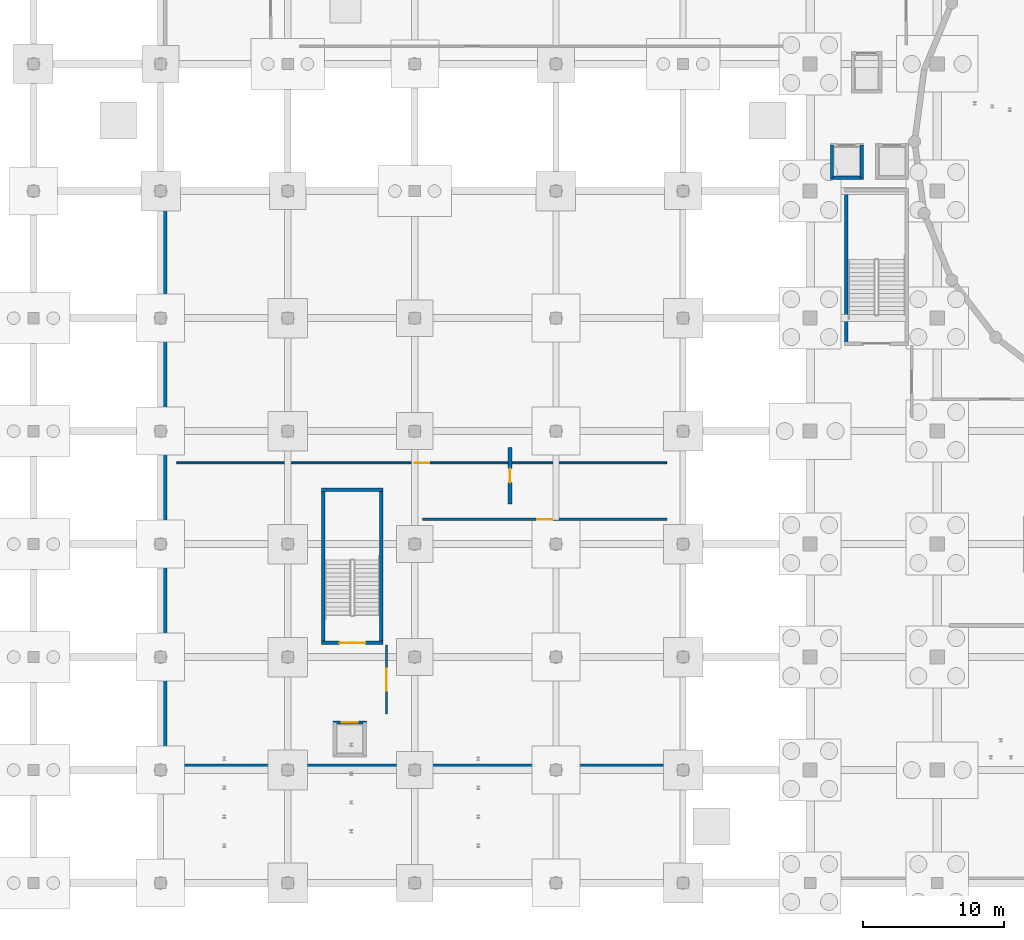
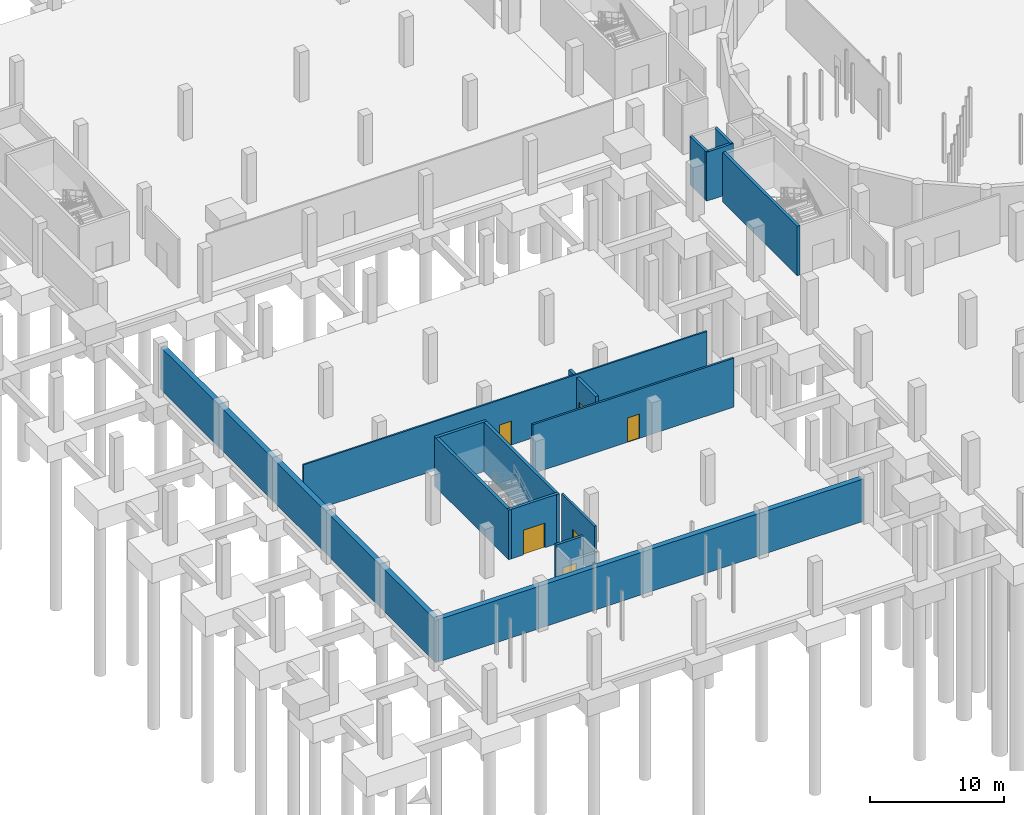
# One storey, part 27 of 40: 15 walls, 6 doors, 6 openings.
"""IFC4 building model written with IfcOpenShell, lengths in metres."""

import ifcopenshell
import ifcopenshell.guid

model = None  # the IFC model being written
_history = None  # IfcOwnerHistory: only IFC2X3 demands one
_inside = {}  # id of a spatial element -> (the spatial element, [elements in it])
_under = {}  # id of a project, library or spatial element -> (it, [spatial elements below it])
_declared = {}  # id of a project -> (the project, [libraries it declares])
_typed = {}  # id of a type object -> (the type object, [elements of that type])
_made_of = {}  # id of a material, layer set ... -> (it, [elements and type objects made of it])


def new_model(schema):
    """Start an empty IFC model of exactly this schema.

    Asked for "IFC4X3", IfcOpenShell would pick the latest addendum, in which some entities
    have other attributes; the version numbers below select the first issue.
    IFC2X3 requires an IfcOwnerHistory on every rooted entity: one is made here for all.
    """
    global model, _history
    if schema == "IFC4X3":
        model = ifcopenshell.file(schema_version=(4, 3, 0, 0))
    else:
        model = ifcopenshell.file(schema=schema)
    _inside.clear()
    _under.clear()
    _declared.clear()
    _typed.clear()
    _made_of.clear()
    _history = None
    if model.schema == "IFC2X3":
        org = make("IfcOrganization", Name="unknown")
        user = make(
            "IfcPersonAndOrganization",
            ThePerson=make("IfcPerson", FamilyName="unknown"),
            TheOrganization=org,
        )
        app = make(
            "IfcApplication",
            ApplicationDeveloper=org,
            Version="unknown",
            ApplicationFullName="unknown",
            ApplicationIdentifier="unknown",
        )
        _history = make(
            "IfcOwnerHistory",
            OwningUser=user,
            OwningApplication=app,
            ChangeAction="ADDED",
            CreationDate=0,
        )
    return model


def make(cls, **values):
    """One entity of the class cls with the attributes given. An attribute that is None is left unset."""
    return model.create_entity(
        cls, **{name: value for name, value in values.items() if value is not None}
    )


def rooted(cls, **values):
    """An entity with a GlobalId (a new one), such as an element, a storey or a relation."""
    return make(cls, GlobalId=ifcopenshell.guid.new(), OwnerHistory=_history, **values)


def si_unit(unit_type, name, prefix=None):
    """IfcSIUnit, for example si_unit("LENGTHUNIT", "METRE", prefix="MILLI")."""
    return make("IfcSIUnit", UnitType=unit_type, Prefix=prefix, Name=name)


def assignment(units):
    """IfcUnitAssignment: the units of a project."""
    return None if units is None else make("IfcUnitAssignment", Units=units)


def point(xyz):
    """IfcCartesianPoint."""
    return None if xyz is None else make("IfcCartesianPoint", Coordinates=xyz)


def direction(xyz):
    """IfcDirection."""
    return None if xyz is None else make("IfcDirection", DirectionRatios=xyz)


def frame(location, z_axis=None, x_axis=None):
    """IfcAxis2Placement3D, a coordinate frame: its origin and axes. An axis left out is left unset."""
    return make(
        "IfcAxis2Placement3D",
        Location=point(location),
        Axis=direction(z_axis),
        RefDirection=direction(x_axis),
    )


def frame_2d(location, x_axis=None):
    """IfcAxis2Placement2D, a coordinate frame in the plane: its origin and x axis."""
    return make(
        "IfcAxis2Placement2D", Location=point(location), RefDirection=direction(x_axis)
    )


def origin():
    """The frame at (0, 0, 0) with its axes left unset."""
    return frame((0.0, 0.0, 0.0))


def place(relative_to, where):
    """IfcLocalPlacement: puts the frame where relative to a parent placement (None: the world)."""
    return make(
        "IfcLocalPlacement", PlacementRelTo=relative_to, RelativePlacement=where
    )


def context(
    kind, dimensions, precision=None, world=None, true_north=None, identifier=None
):
    """IfcGeometricRepresentationContext, for example the 3D "Model" context."""
    return make(
        "IfcGeometricRepresentationContext",
        ContextIdentifier=identifier,
        ContextType=kind,
        CoordinateSpaceDimension=dimensions,
        Precision=precision,
        WorldCoordinateSystem=world,
        TrueNorth=true_north,
    )


def subcontext(parent, identifier, kind, view, scale=None):
    """IfcGeometricRepresentationSubContext, for example "Body" below "Model"."""
    return make(
        "IfcGeometricRepresentationSubContext",
        ContextIdentifier=identifier,
        ContextType=kind,
        ParentContext=parent,
        TargetScale=scale,
        TargetView=view,
    )


def project(units=None, contexts=None):
    """IfcProject with its units and contexts."""
    return rooted(
        "IfcProject",
        Name="project",
        RepresentationContexts=contexts,
        UnitsInContext=assignment(units),
    )


def spatial(cls, under=None, at=None, **own):
    """A site, building, storey or space (cls), placed at a placement, below another one or the project."""
    s = rooted(cls, ObjectPlacement=at, **own)
    if under is not None:
        _under.setdefault(under.id(), (under, []))[1].append(s)
    return s


def profile(cls, at=None, kind="AREA", **sizes):
    """A parametric profile (cls). Its sizes go by their IFC names, for example OverallWidth=200.0."""
    return make(cls, ProfileType=kind, Position=at, **sizes)


def rectangle(**sizes):
    """IfcRectangleProfileDef."""
    return profile("IfcRectangleProfileDef", **sizes)


def extrude(swept, where, along, depth):
    """IfcExtrudedAreaSolid: the profile swept, set in the frame where, extruded along a direction by depth."""
    return make(
        "IfcExtrudedAreaSolid",
        SweptArea=swept,
        Position=where,
        ExtrudedDirection=direction(along),
        Depth=depth,
    )


def shape(context_of_items, identifier, shape_type, items):
    """IfcShapeRepresentation: the items that make up one representation, for example the "Body"."""
    return make(
        "IfcShapeRepresentation",
        ContextOfItems=context_of_items,
        RepresentationIdentifier=identifier,
        RepresentationType=shape_type,
        Items=items,
    )


def material(Name=None, Category=None):
    """IfcMaterial."""
    return make("IfcMaterial", Name=Name, Category=Category)


def layer(
    of_material, thickness, ventilated=None, Name=None, Category=None, Priority=None
):
    """IfcMaterialLayer: one layer of a wall or slab, of a material (None: an air gap)."""
    return make(
        "IfcMaterialLayer",
        Material=of_material,
        LayerThickness=thickness,
        IsVentilated=ventilated,
        Name=Name,
        Category=Category,
        Priority=Priority,
    )


def layer_set(layers, Name=None):
    """IfcMaterialLayerSet."""
    return make("IfcMaterialLayerSet", MaterialLayers=layers, LayerSetName=Name)


def made_of(thing, what):
    """Note that an element or type object is made of a material, layer set ...; save() writes the relation."""
    if what is not None:
        _made_of.setdefault(what.id(), (what, []))[1].append(thing)
    return thing


def type_object(cls, material=None, **own):
    """A type object (cls), such as IfcWallType, which elements share."""
    return made_of(rooted(cls, **own), material)


def element(
    cls,
    number,
    at=None,
    inside=None,
    cuts=None,
    type_object=None,
    material=None,
    context=None,
    identifier="Body",
    shape_type=None,
    held_by="IfcProductDefinitionShape",
    body=None,
    shapes=None,
    **own,
):
    """One element of the class cls, such as IfcWall. Its Tag is "e" and its number.

    at: its placement. inside: the storey or other place that contains it. cuts: it is an
    opening in that element (IfcRelVoidsElement). A single representation is given by context,
    identifier, shape_type and body (its items); several are given by shapes. held_by: the class
    of the entity that holds the representations. save() writes the other relations.
    """
    e = rooted(cls, Tag="e%d" % number, ObjectPlacement=at, **own)
    if body is not None:
        shapes = [shape(context, identifier, shape_type, body)]
    if shapes is not None:
        e.Representation = make(held_by, Representations=shapes)
    if inside is not None:
        _inside.setdefault(inside.id(), (inside, []))[1].append(e)
    if cuts is not None:
        rooted(
            "IfcRelVoidsElement", RelatingBuildingElement=cuts, RelatedOpeningElement=e
        )
    if type_object is not None:
        _typed.setdefault(type_object.id(), (type_object, []))[1].append(e)
    return made_of(e, material)


def fill(opening, filler):
    """IfcRelFillsElement: the door or window that sits in an opening."""
    return rooted(
        "IfcRelFillsElement",
        RelatingOpeningElement=opening,
        RelatedBuildingElement=filler,
    )


def aggregate(whole, parts):
    """IfcRelAggregates: a whole, such as a stair, and the parts it consists of."""
    return rooted("IfcRelAggregates", RelatingObject=whole, RelatedObjects=parts)


def save(model, path):
    """Write the relations noted so far, then the file.

    IfcRelAggregates (storeys below a building ...), IfcRelContainedInSpatialStructure (elements
    in a storey), IfcRelDefinesByType, IfcRelAssociatesMaterial and IfcRelDeclares: one each for
    every whole, place, type object, material and project.
    """
    for whole, parts in _under.values():
        aggregate(whole, parts)
    for where, things in _inside.values():
        rooted(
            "IfcRelContainedInSpatialStructure",
            RelatedElements=things,
            RelatingStructure=where,
        )
    for kind, things in _typed.values():
        rooted("IfcRelDefinesByType", RelatedObjects=things, RelatingType=kind)
    for what, things in _made_of.values():
        rooted("IfcRelAssociatesMaterial", RelatedObjects=things, RelatingMaterial=what)
    for by, libraries in _declared.values():
        rooted("IfcRelDeclares", RelatingContext=by, RelatedDefinitions=libraries)
    model.write(path)


model = new_model("IFC4")

# Units and contexts
model_context = context("Model", 3, precision=1e-05, world=origin(), true_north=direction((0.0, 1.0)))
body_context = subcontext(model_context, "Body", "Model", "MODEL_VIEW")
ifc_project = project(units=[si_unit("LENGTHUNIT", "METRE"), si_unit("AREAUNIT", "SQUARE_METRE"), si_unit("VOLUMEUNIT", "CUBIC_METRE"), si_unit("PLANEANGLEUNIT", "RADIAN"), si_unit("MASSUNIT", "GRAM", prefix="KILO")], contexts=[model_context])

# Site, building, storey
site_placement = place(None, origin())
site = spatial("IfcSite", under=ifc_project, at=site_placement, CompositionType="ELEMENT")
building_placement = place(site_placement, origin())
building = spatial("IfcBuilding", under=site, at=building_placement, Name="Marnock Terrace Opera House", CompositionType="ELEMENT")
storey_placement = place(building_placement, frame((0.0, 0.0, -4.800048828125)))
storey = spatial("IfcBuildingStorey", under=building, at=storey_placement, Name="B1", CompositionType="ELEMENT", Elevation=-4.800048828125)

# Wall, opening, door
ifc_material_1 = material(Name="Rendered acoustic concrete blockwork", Category="masonry")
ifc_layer_1 = layer(ifc_material_1, 0.175048828125)
ifc_layer_set_1 = layer_set([ifc_layer_1], Name="Rendered acoustic concrete blockwork")
wall_type_1 = type_object("IfcWallType", Name="IW-FIRE-175", PredefinedType="PARTITIONING", material=ifc_layer_set_1)
wall_1_placement = place(storey_placement, frame((25.0, 19.949951171875, 0.0), z_axis=(0.0, 0.0, 1.0), x_axis=(0.0, 1.0, 0.0)))
wall_1 = element("IfcWall", 1, at=wall_1_placement, inside=storey, type_object=wall_type_1, Name="B1 C5 fire-rated lift and stair lobby wall", PredefinedType="PARTITIONING", context=body_context, shape_type="SweptSolid", body=[
    extrude(rectangle(XDim=4.900146484375, YDim=0.175048828125, at=frame_2d((2.4501953125, 0.0))), origin(), (0.0, 0.0, 1.0), 4.449951171875),
])
opening_1_placement = place(wall_1_placement, frame((1.675048828125, 0.0, 0.0)))
opening_1 = element("IfcOpeningElement", 2, at=opening_1_placement, cuts=wall_1, Name="Opening FD-C5-B1", PredefinedType="OPENING", context=body_context, shape_type="SweptSolid", body=[
    extrude(rectangle(XDim=1.550048828125, YDim=2.219970703125, at=frame_2d((0.77490234375, 1.10986328125))), frame((0.0, 0.097412109375, 0.0), z_axis=(0.0, -1.0, 0.0), x_axis=(1.0, 0.0, 0.0)), (0.0, 0.0, 1.0), 0.195068359375),
])
ifc_material_2 = material(Name="Fire-rated acoustic timber-core door assembly", Category="wood")
door_type_1 = type_object("IfcDoorType", Name="DT-LOBBY-1550", OperationType="NOTDEFINED", PredefinedType="DOOR", material=ifc_material_2)
door_1_placement = place(opening_1_placement, origin())
door_1 = element("IfcDoor", 3, at=door_1_placement, inside=storey, type_object=door_type_1, Name="B1 C5 lobby self-closing smoke door", OperationType="SINGLE_SWING_RIGHT", OverallHeight=2.219970703125, OverallWidth=1.550048828125, PredefinedType="DOOR", context=body_context, shape_type="SweptSolid", body=[
    extrude(rectangle(XDim=1.550048828125, YDim=2.219970703125, at=frame_2d((0.77490234375, 1.10986328125))), frame((0.0, 0.02490234375, 0.0), z_axis=(0.0, -1.0, 0.0), x_axis=(1.0, 0.0, 0.0)), (0.0, 0.0, 1.0), 0.050048828125),
])
fill(opening_1, door_1)

ifc_material_3 = material(Name="Motorised aluminium-framed acoustic operable partition", Category="aluminium")
ifc_layer_2 = layer(ifc_material_3, 0.169921875)
ifc_layer_set_2 = layer_set([ifc_layer_2], Name="Motorised aluminium-framed acoustic operable partition")
wall_type_2 = type_object("IfcWallType", Name="IW-MOVABLE-170", PredefinedType="MOVABLE", material=ifc_layer_set_2)
wall_2_placement = place(storey_placement, frame((27.550048828125, 33.75, 0.0), z_axis=(0.0, 0.0, 1.0), x_axis=(1.0, 0.0, 0.0)))
wall_2 = element("IfcWall", 4, at=wall_2_placement, inside=storey, type_object=wall_type_2, Name="B1 Percussion and Harp Practice Studio acoustic partition wall", PredefinedType="MOVABLE", context=body_context, shape_type="SweptSolid", body=[
    extrude(rectangle(XDim=17.300048828125, YDim=0.169921875, at=frame_2d((8.64990234375, 0.0))), origin(), (0.0, 0.0, 1.0), 4.449951171875),
])
opening_2_placement = place(wall_2_placement, frame((8.1201171875, 0.0, 0.0)))
opening_2 = element("IfcOpeningElement", 5, at=opening_2_placement, cuts=wall_2, Name="Opening D-B1-11", PredefinedType="OPENING", context=body_context, shape_type="SweptSolid", body=[
    extrude(rectangle(XDim=1.06005859375, YDim=2.199951171875, at=frame_2d((0.530029296875, 1.10009765625))), frame((0.0, 0.094970703125, 0.0), z_axis=(0.0, -1.0, 0.0), x_axis=(1.0, 0.0, 0.0)), (0.0, 0.0, 1.0), 0.18994140625),
])
ifc_material_4 = material(Name="Solid-core Tasmanian oak acoustic door leaf")
door_type_2 = type_object("IfcDoorType", Name="DT-SUITE-1060", OperationType="NOTDEFINED", PredefinedType="DOOR", material=ifc_material_4)
door_2_placement = place(opening_2_placement, origin())
door_2 = element("IfcDoor", 6, at=door_2_placement, inside=storey, type_object=door_type_2, Name="B1 Percussion and Harp Practice Studio entrance door", OperationType="SINGLE_SWING_LEFT", OverallHeight=2.199951171875, OverallWidth=1.06005859375, PredefinedType="DOOR", context=body_context, shape_type="SweptSolid", body=[
    extrude(rectangle(XDim=1.06005859375, YDim=2.199951171875, at=frame_2d((0.530029296875, 1.10009765625))), frame((0.0, 0.02490234375, 0.0), z_axis=(0.0, -1.0, 0.0), x_axis=(1.0, 0.0, 0.0)), (0.0, 0.0, 1.0), 0.050048828125),
])
fill(opening_2, door_2)

ifc_material_5 = material(Name="Double-stud acoustic plasterboard with mineral-wool infill")
ifc_layer_3 = layer(ifc_material_5, 0.137939453125)
ifc_layer_set_3 = layer_set([ifc_layer_3], Name="Double-stud acoustic plasterboard with mineral-wool infill")
wall_type_3 = type_object("IfcWallType", Name="IW-PART-138", PredefinedType="PARTITIONING", material=ifc_layer_set_3)
wall_3_placement = place(storey_placement, frame((10.14990234375, 37.75, 0.0), z_axis=(0.0, 0.0, 1.0), x_axis=(1.0, 0.0, 0.0)))
wall_3 = element("IfcWall", 7, at=wall_3_placement, inside=storey, type_object=wall_type_3, Name="B1 Chamber Stage Trap and Piano Lift Store acoustic partition wall", PredefinedType="PARTITIONING", context=body_context, shape_type="SweptSolid", body=[
    extrude(rectangle(XDim=34.7001953125, YDim=0.137939453125, at=frame_2d((17.35009765625, 0.0))), origin(), (0.0, 0.0, 1.0), 4.449951171875),
])
opening_3_placement = place(wall_3_placement, frame((16.840087890625, 0.0, 0.0)))
opening_3 = element("IfcOpeningElement", 8, at=opening_3_placement, cuts=wall_3, Name="Opening D-B1-12", PredefinedType="OPENING", context=body_context, shape_type="SweptSolid", body=[
    extrude(rectangle(XDim=1.02001953125, YDim=2.179931640625, at=frame_2d((0.510009765625, 1.08984375))), frame((0.0, 0.078857421875, 0.0), z_axis=(0.0, -1.0, 0.0), x_axis=(1.0, 0.0, 0.0)), (0.0, 0.0, 1.0), 0.157958984375),
])
door_type_3 = type_object("IfcDoorType", Name="DT-SUITE-1020", OperationType="NOTDEFINED", PredefinedType="DOOR", material=ifc_material_4)
door_3_placement = place(opening_3_placement, origin())
door_3 = element("IfcDoor", 9, at=door_3_placement, inside=storey, type_object=door_type_3, Name="B1 Chamber Stage Trap and Piano Lift Store entrance door", OperationType="SINGLE_SWING_RIGHT", OverallHeight=2.179931640625, OverallWidth=1.02001953125, PredefinedType="DOOR", context=body_context, shape_type="SweptSolid", body=[
    extrude(rectangle(XDim=1.02001953125, YDim=2.179931640625, at=frame_2d((0.510009765625, 1.08984375))), frame((0.0, 0.02490234375, 0.0), z_axis=(0.0, -1.0, 0.0), x_axis=(1.0, 0.0, 0.0)), (0.0, 0.0, 1.0), 0.050048828125),
])
fill(opening_3, door_3)

ifc_material_6 = material(Name="Moisture-resistant tiled service duct framing")
ifc_layer_4 = layer(ifc_material_6, 0.264892578125)
ifc_layer_set_4 = layer_set([ifc_layer_4], Name="Moisture-resistant tiled service duct framing")
wall_type_4 = type_object("IfcWallType", Name="IW-PLUMB-265", PredefinedType="PLUMBINGWALL", material=ifc_layer_set_4)
wall_4_placement = place(storey_placement, frame((33.75, 34.85009765625, 0.0), z_axis=(0.0, 0.0, 1.0), x_axis=(0.0, 1.0, 0.0)))
wall_4 = element("IfcWall", 10, at=wall_4_placement, inside=storey, type_object=wall_type_4, Name="B1 Staff WC B1 West acoustic partition wall", PredefinedType="PLUMBINGWALL", context=body_context, shape_type="SweptSolid", body=[
    extrude(rectangle(XDim=4.0, YDim=0.264892578125, at=frame_2d((2.0, 0.0))), origin(), (0.0, 0.0, 1.0), 4.162841796875),
])
opening_4_placement = place(wall_4_placement, frame((1.510009765625, 0.0, 0.0)))
opening_4 = element("IfcOpeningElement", 11, at=opening_4_placement, cuts=wall_4, Name="Opening D-B1-19", PredefinedType="OPENING", context=body_context, shape_type="SweptSolid", body=[
    extrude(rectangle(XDim=0.97998046875, YDim=2.139892578125, at=frame_2d((0.489990234375, 1.06982421875))), frame((0.0, 0.142333984375, 0.0), z_axis=(0.0, -1.0, 0.0), x_axis=(1.0, 0.0, 0.0)), (0.0, 0.0, 1.0), 0.284912109375),
])
door_type_4 = type_object("IfcDoorType", Name="DT-WC-980", OperationType="NOTDEFINED", PredefinedType="DOOR", material=ifc_material_4)
door_4_placement = place(opening_4_placement, origin())
door_4 = element("IfcDoor", 12, at=door_4_placement, inside=storey, type_object=door_type_4, Name="B1 Staff WC B1 West entrance door", OperationType="SINGLE_SWING_RIGHT", OverallHeight=2.139892578125, OverallWidth=0.97998046875, PredefinedType="DOOR", context=body_context, shape_type="SweptSolid", body=[
    extrude(rectangle(XDim=0.97998046875, YDim=2.139892578125, at=frame_2d((0.489990234375, 1.06982421875))), frame((0.0, 0.02490234375, 0.0), z_axis=(0.0, -1.0, 0.0), x_axis=(1.0, 0.0, 0.0)), (0.0, 0.0, 1.0), 0.050048828125),
])
fill(opening_4, door_4)

# Walls
ifc_layer_5 = layer(ifc_material_1, 0.22509765625)
ifc_layer_set_5 = layer_set([ifc_layer_5], Name="Rendered acoustic concrete blockwork")
wall_type_5 = type_object("IfcWallType", Name="IW-SHAFT-225", PredefinedType="SOLIDWALL", material=ifc_layer_set_5)
wall_5_placement = place(storey_placement, frame((56.427490234375, 57.93994140625, 0.0), z_axis=(0.0, 0.0, 1.0), x_axis=(1.0, 0.0, 0.0)))
element("IfcWall", 13, at=wall_5_placement, inside=storey, type_object=wall_type_5, Name="B1 Lift PL-01 rear shaft wall", PredefinedType="SOLIDWALL", context=body_context, shape_type="SweptSolid", body=[
    extrude(rectangle(XDim=2.344970703125, YDim=0.22509765625, at=frame_2d((1.17236328125, 0.0))), origin(), (0.0, 0.0, 1.0), 4.449951171875),
])
for number, where, z_axis, x_axis, name in (
    (14, (56.5400390625, 57.93994140625, 0.0), (0.0, 0.0, 1.0), (0.0, 1.0, 0.0), "B1 Lift PL-01 west shaft wall"),
    (15, (58.659912109375, 57.93994140625, 0.0), (0.0, 0.0, 1.0), (0.0, 1.0, 0.0), "B1 Lift PL-01 east shaft wall"),
):
    element("IfcWall", number, at=place(storey_placement, frame(where, z_axis=z_axis, x_axis=x_axis)), inside=storey, type_object=wall_type_5, Name=name, PredefinedType="SOLIDWALL", context=body_context, shape_type="SweptSolid", body=[
        extrude(rectangle(XDim=2.320068359375, YDim=0.22509765625, at=frame_2d((1.16015625, 0.0))), origin(), (0.0, 0.0, 1.0), 4.449951171875),
    ])

# Wall, opening, door
wall_6_placement = place(storey_placement, frame((21.2275390625, 19.360107421875, 0.0), z_axis=(0.0, 0.0, 1.0), x_axis=(1.0, 0.0, 0.0)))
wall_6 = element("IfcWall", 16, at=wall_6_placement, inside=storey, type_object=wall_type_5, Name="B1 Lift PL-05 front shaft wall", PredefinedType="SOLIDWALL", context=body_context, shape_type="SweptSolid", body=[
    extrude(rectangle(XDim=2.344970703125, YDim=0.22509765625, at=frame_2d((1.17236328125, 0.0))), origin(), (0.0, 0.0, 1.0), 4.449951171875),
])
opening_5_placement = place(wall_6_placement, frame((0.597412109375, 0.0, 0.0)))
opening_5 = element("IfcOpeningElement", 17, at=opening_5_placement, cuts=wall_6, Name="Opening LD-PL-05-B1", PredefinedType="OPENING", context=body_context, shape_type="SweptSolid", body=[
    extrude(rectangle(XDim=1.14990234375, YDim=2.199951171875, at=frame_2d((0.574951171875, 1.10009765625))), frame((0.0, 0.12255859375, 0.0), z_axis=(0.0, -1.0, 0.0), x_axis=(1.0, 0.0, 0.0)), (0.0, 0.0, 1.0), 0.2451171875),
])
ifc_material_7 = material(Name="Brushed stainless steel landing door assembly", Category="steel")
door_type_5 = type_object("IfcDoorType", Name="DT-LIFT-1150", OperationType="NOTDEFINED", PredefinedType="DOOR", material=ifc_material_7)
door_5_placement = place(opening_5_placement, origin())
door_5 = element("IfcDoor", 18, at=door_5_placement, inside=storey, type_object=door_type_5, Name="B1 Lift PL-05 sliding landing door", OperationType="DOUBLE_DOOR_SLIDING", OverallHeight=2.199951171875, OverallWidth=1.14990234375, PredefinedType="DOOR", context=body_context, shape_type="SweptSolid", body=[
    extrude(rectangle(XDim=1.14990234375, YDim=2.199951171875, at=frame_2d((0.574951171875, 1.10009765625))), frame((0.0, 0.02490234375, 0.0), z_axis=(0.0, -1.0, 0.0), x_axis=(1.0, 0.0, 0.0)), (0.0, 0.0, 1.0), 0.050048828125),
])
fill(opening_5, door_5)

# Wall
ifc_material_8 = material(Name="Concrete N40 (f'c = 40 MPa)", Category="concrete")
ifc_layer_6 = layer(ifc_material_8, 0.25)
ifc_layer_set_6 = layer_set([ifc_layer_6], Name="Concrete N40 (f'c = 40 MPa)")
wall_type_6 = type_object("IfcWallType", Name="SW-CORE-250", PredefinedType="SHEAR", material=ifc_layer_set_6)
wall_7_placement = place(storey_placement, frame((57.56005859375, 46.074951171875, 0.0), z_axis=(0.0, 0.0, 1.0), x_axis=(0.0, 1.0, 0.0)))
element("IfcWall", 19, at=wall_7_placement, inside=storey, type_object=wall_type_6, Name="B1 Core C1 FRL 120/120/120 shear wall W", PredefinedType="SHEAR", context=body_context, shape_type="SweptSolid", body=[
    extrude(rectangle(XDim=11.090087890625, YDim=0.25, at=frame_2d((5.544921875, 0.0))), origin(), (0.0, 0.0, 1.0), 4.5),
])

# Wall, opening, door
wall_8_placement = place(storey_placement, frame((20.39501953125, 25.0, 0.0), z_axis=(0.0, 0.0, 1.0), x_axis=(1.0, 0.0, 0.0)))
wall_8 = element("IfcWall", 20, at=wall_8_placement, inside=storey, type_object=wall_type_6, Name="B1 Core C5 FRL 120/120/120 shear wall S", PredefinedType="SHEAR", context=body_context, shape_type="SweptSolid", body=[
    extrude(rectangle(XDim=4.369873046875, YDim=0.25, at=frame_2d((2.18505859375, 0.0))), origin(), (0.0, 0.0, 1.0), 4.5),
])
opening_6_placement = place(wall_8_placement, frame((1.260009765625, 0.0, 0.0)))
opening_6 = element("IfcOpeningElement", 21, at=opening_6_placement, cuts=wall_8, Name="Opening SD-C5-B1", PredefinedType="OPENING", context=body_context, shape_type="SweptSolid", body=[
    extrude(rectangle(XDim=1.85009765625, YDim=2.25, at=frame_2d((0.925048828125, 1.125))), frame((0.0, 0.135009765625, 0.0), z_axis=(0.0, -1.0, 0.0), x_axis=(1.0, 0.0, 0.0)), (0.0, 0.0, 1.0), 0.27001953125),
])
door_type_6 = type_object("IfcDoorType", Name="DT-STAIR-1850", OperationType="NOTDEFINED", PredefinedType="DOOR", material=ifc_material_2)
door_6_placement = place(opening_6_placement, origin())
door_6 = element("IfcDoor", 22, at=door_6_placement, inside=storey, type_object=door_type_6, Name="B1 Stair ST-05 fire-isolated exit door", OperationType="SINGLE_SWING_LEFT", OverallHeight=2.25, OverallWidth=1.85009765625, PredefinedType="DOOR", context=body_context, shape_type="SweptSolid", body=[
    extrude(rectangle(XDim=1.85009765625, YDim=2.25, at=frame_2d((0.925048828125, 1.125))), frame((0.0, 0.02490234375, 0.0), z_axis=(0.0, -1.0, 0.0), x_axis=(1.0, 0.0, 0.0)), (0.0, 0.0, 1.0), 0.050048828125),
])
fill(opening_6, door_6)

# Walls
wall_9_placement = place(storey_placement, frame((20.39501953125, 35.840087890625, 0.0), z_axis=(0.0, 0.0, 1.0), x_axis=(1.0, 0.0, 0.0)))
element("IfcWall", 23, at=wall_9_placement, inside=storey, type_object=wall_type_6, Name="B1 Core C5 FRL 120/120/120 shear wall N", PredefinedType="SHEAR", context=body_context, shape_type="SweptSolid", body=[
    extrude(rectangle(XDim=4.369873046875, YDim=0.25, at=frame_2d((2.18505859375, 0.0))), origin(), (0.0, 0.0, 1.0), 4.5),
])
for number, where, z_axis, x_axis, name in (
    (24, (20.52001953125, 24.875, 0.0), (0.0, 0.0, 1.0), (0.0, 1.0, 0.0), "B1 Core C5 FRL 120/120/120 shear wall W"),
    (25, (24.639892578125, 24.875, 0.0), (0.0, 0.0, 1.0), (0.0, 1.0, 0.0), "B1 Core C5 FRL 120/120/120 shear wall E"),
):
    element("IfcWall", number, at=place(storey_placement, frame(where, z_axis=z_axis, x_axis=x_axis)), inside=storey, type_object=wall_type_6, Name=name, PredefinedType="SHEAR", context=body_context, shape_type="SweptSolid", body=[
        extrude(rectangle(XDim=11.090087890625, YDim=0.25, at=frame_2d((5.544921875, 0.0))), origin(), (0.0, 0.0, 1.0), 4.5),
    ])
ifc_layer_7 = layer(ifc_material_8, 0.43994140625)
ifc_layer_set_7 = layer_set([ifc_layer_7], Name="Concrete N40 (f'c = 40 MPa)")
wall_type_7 = type_object("IfcWallType", Name="SW-RET-440", PredefinedType="USERDEFINED", material=ifc_layer_set_7)
wall_10_placement = place(storey_placement, frame((9.219970703125, 16.219970703125, 0.0), z_axis=(0.0, 0.0, 1.0), x_axis=(1.0, 0.0, 0.0)))
element("IfcWall", 26, at=wall_10_placement, inside=storey, type_object=wall_type_7, Name="Basement B1 perimeter retaining wall RW-B1-S1", ObjectType="RETAINING WALL", PredefinedType="USERDEFINED", context=body_context, shape_type="SweptSolid", body=[
    extrude(rectangle(XDim=36.56005859375, YDim=0.43994140625, at=frame_2d((18.280029296875, 0.0))), origin(), (0.0, 0.0, 1.0), 3.85009765625),
])
wall_11_placement = place(storey_placement, frame((9.219970703125, 16.0, 0.0), z_axis=(0.0, 0.0, 1.0), x_axis=(0.0, 1.0, 0.0)))
element("IfcWall", 27, at=wall_11_placement, inside=storey, type_object=wall_type_7, Name="Basement B1 perimeter retaining wall RW-B1-W1", ObjectType="RETAINING WALL", PredefinedType="USERDEFINED", context=body_context, shape_type="SweptSolid", body=[
    extrude(rectangle(XDim=41.0, YDim=0.43994140625, at=frame_2d((20.5, 0.0))), origin(), (0.0, 0.0, 1.0), 3.85009765625),
])

save(model, "model.ifc")
